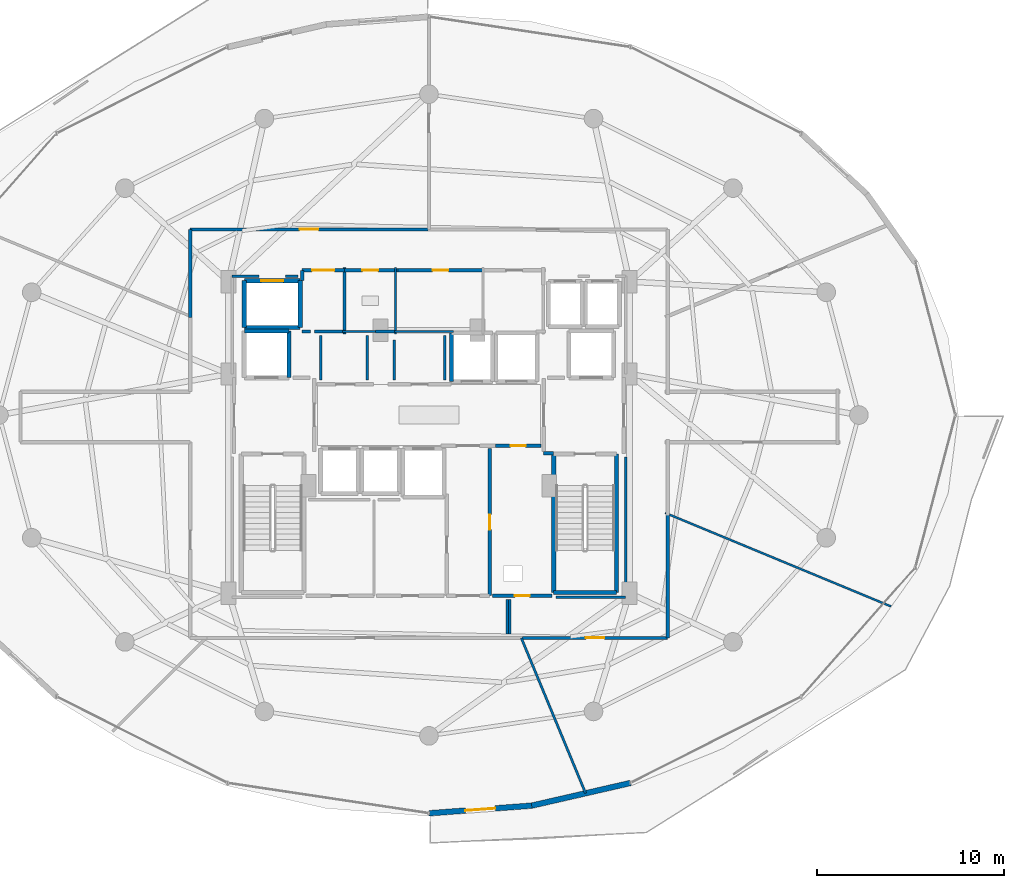
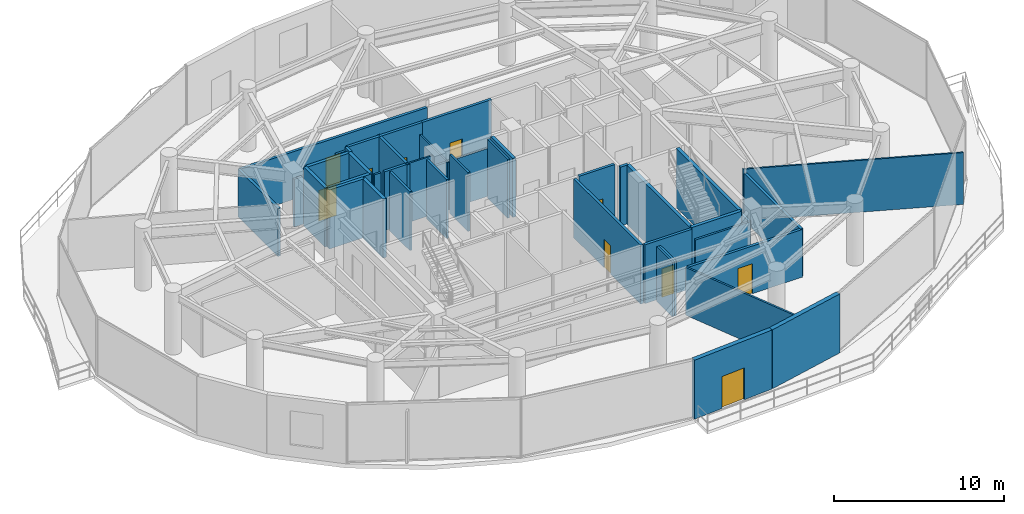
# One storey, part 25 of 31: 43 walls, 10 doors, 10 openings.
"""IFC4 building model written with IfcOpenShell, lengths in metres."""

import ifcopenshell
import ifcopenshell.guid

model = None  # the IFC model being written
_history = None  # IfcOwnerHistory: only IFC2X3 demands one
_inside = {}  # id of a spatial element -> (the spatial element, [elements in it])
_under = {}  # id of a project, library or spatial element -> (it, [spatial elements below it])
_declared = {}  # id of a project -> (the project, [libraries it declares])
_typed = {}  # id of a type object -> (the type object, [elements of that type])
_made_of = {}  # id of a material, layer set ... -> (it, [elements and type objects made of it])


def new_model(schema):
    """Start an empty IFC model of exactly this schema.

    Asked for "IFC4X3", IfcOpenShell would pick the latest addendum, in which some entities
    have other attributes; the version numbers below select the first issue.
    IFC2X3 requires an IfcOwnerHistory on every rooted entity: one is made here for all.
    """
    global model, _history
    if schema == "IFC4X3":
        model = ifcopenshell.file(schema_version=(4, 3, 0, 0))
    else:
        model = ifcopenshell.file(schema=schema)
    _inside.clear()
    _under.clear()
    _declared.clear()
    _typed.clear()
    _made_of.clear()
    _history = None
    if model.schema == "IFC2X3":
        org = make("IfcOrganization", Name="unknown")
        user = make(
            "IfcPersonAndOrganization",
            ThePerson=make("IfcPerson", FamilyName="unknown"),
            TheOrganization=org,
        )
        app = make(
            "IfcApplication",
            ApplicationDeveloper=org,
            Version="unknown",
            ApplicationFullName="unknown",
            ApplicationIdentifier="unknown",
        )
        _history = make(
            "IfcOwnerHistory",
            OwningUser=user,
            OwningApplication=app,
            ChangeAction="ADDED",
            CreationDate=0,
        )
    return model


def make(cls, **values):
    """One entity of the class cls with the attributes given. An attribute that is None is left unset."""
    return model.create_entity(
        cls, **{name: value for name, value in values.items() if value is not None}
    )


def rooted(cls, **values):
    """An entity with a GlobalId (a new one), such as an element, a storey or a relation."""
    return make(cls, GlobalId=ifcopenshell.guid.new(), OwnerHistory=_history, **values)


def si_unit(unit_type, name, prefix=None):
    """IfcSIUnit, for example si_unit("LENGTHUNIT", "METRE", prefix="MILLI")."""
    return make("IfcSIUnit", UnitType=unit_type, Prefix=prefix, Name=name)


def assignment(units):
    """IfcUnitAssignment: the units of a project."""
    return None if units is None else make("IfcUnitAssignment", Units=units)


def point(xyz):
    """IfcCartesianPoint."""
    return None if xyz is None else make("IfcCartesianPoint", Coordinates=xyz)


def direction(xyz):
    """IfcDirection."""
    return None if xyz is None else make("IfcDirection", DirectionRatios=xyz)


def frame(location, z_axis=None, x_axis=None):
    """IfcAxis2Placement3D, a coordinate frame: its origin and axes. An axis left out is left unset."""
    return make(
        "IfcAxis2Placement3D",
        Location=point(location),
        Axis=direction(z_axis),
        RefDirection=direction(x_axis),
    )


def frame_2d(location, x_axis=None):
    """IfcAxis2Placement2D, a coordinate frame in the plane: its origin and x axis."""
    return make(
        "IfcAxis2Placement2D", Location=point(location), RefDirection=direction(x_axis)
    )


def origin():
    """The frame at (0, 0, 0) with its axes left unset."""
    return frame((0.0, 0.0, 0.0))


def place(relative_to, where):
    """IfcLocalPlacement: puts the frame where relative to a parent placement (None: the world)."""
    return make(
        "IfcLocalPlacement", PlacementRelTo=relative_to, RelativePlacement=where
    )


def context(
    kind, dimensions, precision=None, world=None, true_north=None, identifier=None
):
    """IfcGeometricRepresentationContext, for example the 3D "Model" context."""
    return make(
        "IfcGeometricRepresentationContext",
        ContextIdentifier=identifier,
        ContextType=kind,
        CoordinateSpaceDimension=dimensions,
        Precision=precision,
        WorldCoordinateSystem=world,
        TrueNorth=true_north,
    )


def subcontext(parent, identifier, kind, view, scale=None):
    """IfcGeometricRepresentationSubContext, for example "Body" below "Model"."""
    return make(
        "IfcGeometricRepresentationSubContext",
        ContextIdentifier=identifier,
        ContextType=kind,
        ParentContext=parent,
        TargetScale=scale,
        TargetView=view,
    )


def project(units=None, contexts=None):
    """IfcProject with its units and contexts."""
    return rooted(
        "IfcProject",
        Name="project",
        RepresentationContexts=contexts,
        UnitsInContext=assignment(units),
    )


def spatial(cls, under=None, at=None, **own):
    """A site, building, storey or space (cls), placed at a placement, below another one or the project."""
    s = rooted(cls, ObjectPlacement=at, **own)
    if under is not None:
        _under.setdefault(under.id(), (under, []))[1].append(s)
    return s


def profile(cls, at=None, kind="AREA", **sizes):
    """A parametric profile (cls). Its sizes go by their IFC names, for example OverallWidth=200.0."""
    return make(cls, ProfileType=kind, Position=at, **sizes)


def rectangle(**sizes):
    """IfcRectangleProfileDef."""
    return profile("IfcRectangleProfileDef", **sizes)


def extrude(swept, where, along, depth):
    """IfcExtrudedAreaSolid: the profile swept, set in the frame where, extruded along a direction by depth."""
    return make(
        "IfcExtrudedAreaSolid",
        SweptArea=swept,
        Position=where,
        ExtrudedDirection=direction(along),
        Depth=depth,
    )


def shape(context_of_items, identifier, shape_type, items):
    """IfcShapeRepresentation: the items that make up one representation, for example the "Body"."""
    return make(
        "IfcShapeRepresentation",
        ContextOfItems=context_of_items,
        RepresentationIdentifier=identifier,
        RepresentationType=shape_type,
        Items=items,
    )


def material(Name=None, Category=None):
    """IfcMaterial."""
    return make("IfcMaterial", Name=Name, Category=Category)


def layer(
    of_material, thickness, ventilated=None, Name=None, Category=None, Priority=None
):
    """IfcMaterialLayer: one layer of a wall or slab, of a material (None: an air gap)."""
    return make(
        "IfcMaterialLayer",
        Material=of_material,
        LayerThickness=thickness,
        IsVentilated=ventilated,
        Name=Name,
        Category=Category,
        Priority=Priority,
    )


def layer_set(layers, Name=None):
    """IfcMaterialLayerSet."""
    return make("IfcMaterialLayerSet", MaterialLayers=layers, LayerSetName=Name)


def made_of(thing, what):
    """Note that an element or type object is made of a material, layer set ...; save() writes the relation."""
    if what is not None:
        _made_of.setdefault(what.id(), (what, []))[1].append(thing)
    return thing


def type_object(cls, material=None, **own):
    """A type object (cls), such as IfcWallType, which elements share."""
    return made_of(rooted(cls, **own), material)


def element(
    cls,
    number,
    at=None,
    inside=None,
    cuts=None,
    type_object=None,
    material=None,
    context=None,
    identifier="Body",
    shape_type=None,
    held_by="IfcProductDefinitionShape",
    body=None,
    shapes=None,
    **own,
):
    """One element of the class cls, such as IfcWall. Its Tag is "e" and its number.

    at: its placement. inside: the storey or other place that contains it. cuts: it is an
    opening in that element (IfcRelVoidsElement). A single representation is given by context,
    identifier, shape_type and body (its items); several are given by shapes. held_by: the class
    of the entity that holds the representations. save() writes the other relations.
    """
    e = rooted(cls, Tag="e%d" % number, ObjectPlacement=at, **own)
    if body is not None:
        shapes = [shape(context, identifier, shape_type, body)]
    if shapes is not None:
        e.Representation = make(held_by, Representations=shapes)
    if inside is not None:
        _inside.setdefault(inside.id(), (inside, []))[1].append(e)
    if cuts is not None:
        rooted(
            "IfcRelVoidsElement", RelatingBuildingElement=cuts, RelatedOpeningElement=e
        )
    if type_object is not None:
        _typed.setdefault(type_object.id(), (type_object, []))[1].append(e)
    return made_of(e, material)


def fill(opening, filler):
    """IfcRelFillsElement: the door or window that sits in an opening."""
    return rooted(
        "IfcRelFillsElement",
        RelatingOpeningElement=opening,
        RelatedBuildingElement=filler,
    )


def aggregate(whole, parts):
    """IfcRelAggregates: a whole, such as a stair, and the parts it consists of."""
    return rooted("IfcRelAggregates", RelatingObject=whole, RelatedObjects=parts)


def save(model, path):
    """Write the relations noted so far, then the file.

    IfcRelAggregates (storeys below a building ...), IfcRelContainedInSpatialStructure (elements
    in a storey), IfcRelDefinesByType, IfcRelAssociatesMaterial and IfcRelDeclares: one each for
    every whole, place, type object, material and project.
    """
    for whole, parts in _under.values():
        aggregate(whole, parts)
    for where, things in _inside.values():
        rooted(
            "IfcRelContainedInSpatialStructure",
            RelatedElements=things,
            RelatingStructure=where,
        )
    for kind, things in _typed.values():
        rooted("IfcRelDefinesByType", RelatedObjects=things, RelatingType=kind)
    for what, things in _made_of.values():
        rooted("IfcRelAssociatesMaterial", RelatedObjects=things, RelatingMaterial=what)
    for by, libraries in _declared.values():
        rooted("IfcRelDeclares", RelatingContext=by, RelatedDefinitions=libraries)
    model.write(path)


model = new_model("IFC4")

# Units and contexts
model_context = context("Model", 3, precision=1e-05, world=origin(), true_north=direction((0.0, 1.0)))
body_context = subcontext(model_context, "Body", "Model", "MODEL_VIEW")
ifc_project = project(units=[si_unit("LENGTHUNIT", "METRE"), si_unit("AREAUNIT", "SQUARE_METRE"), si_unit("VOLUMEUNIT", "CUBIC_METRE"), si_unit("PLANEANGLEUNIT", "RADIAN"), si_unit("MASSUNIT", "GRAM", prefix="KILO")], contexts=[model_context])

# Site, building, storey
site_placement = place(None, origin())
site = spatial("IfcSite", under=ifc_project, at=site_placement, CompositionType="ELEMENT")
building_placement = place(site_placement, origin())
building = spatial("IfcBuilding", under=site, at=building_placement, Name="Vorneva Point Tower", CompositionType="ELEMENT")
storey_placement = place(building_placement, frame((0.0, 0.0, 174.60009765625)))
storey = spatial("IfcBuildingStorey", under=building, at=storey_placement, Name="L47", CompositionType="ELEMENT", Elevation=174.60009765625)

# Walls
ifc_material_1 = material(Name="Concrete B60 (C50/60)", Category="concrete")
ifc_layer_1 = layer(ifc_material_1, 0.5)
ifc_layer_set_1 = layer_set([ifc_layer_1], Name="Concrete B60 (C50/60)")
wall_type_1 = type_object("IfcWallType", Name="WL-CORE-500", PredefinedType="SHEAR", material=ifc_layer_set_1)
wall_1_placement = place(storey_placement, frame((30.5, 28.0, 0.0), z_axis=(0.0, 0.0, 1.0), x_axis=(0.0, 1.0, 0.0)))
element("IfcWall", 1, at=wall_1_placement, inside=storey, type_object=wall_type_1, Name="L47 Lift FFL1 Shaft Wall +X", PredefinedType="SHEAR", context=body_context, shape_type="SweptSolid", body=[
    extrude(rectangle(XDim=2.5, YDim=0.219970703125, at=frame_2d((1.25, 0.0))), origin(), (0.0, 0.0, 1.0), 4.239990234375),
])
wall_2_placement = place(storey_placement, frame((30.5, 30.5, 0.0), z_axis=(0.0, 0.0, 1.0), x_axis=(-1.0, 0.0, 0.0)))
element("IfcWall", 2, at=wall_2_placement, inside=storey, type_object=wall_type_1, Name="L47 Lift FFL1 Shaft Wall +Y", PredefinedType="SHEAR", context=body_context, shape_type="SweptSolid", body=[
    extrude(rectangle(XDim=2.39990234375, YDim=0.219970703125, at=frame_2d((1.199951171875, 0.0))), origin(), (0.0, 0.0, 1.0), 4.239990234375),
])

# Wall, opening, door
ifc_material_2 = material(Name="Precast concrete B50 (C40/50)", Category="concrete")
ifc_layer_2 = layer(ifc_material_2, 0.300048828125)
ifc_layer_set_2 = layer_set([ifc_layer_2], Name="Precast concrete B50 (C40/50)")
wall_type_2 = type_object("IfcWallType", Name="WL-EXT-300", PredefinedType="STANDARD", material=ifc_layer_set_2)
wall_3_placement = place(storey_placement, frame((38.0, 4.64990234375, 0.0), z_axis=(0.0, 0.0, 1.0), x_axis=(0.997234968529, 0.074312970214, 0.0)))
wall_3 = element("IfcWall", 3, at=wall_3_placement, inside=storey, type_object=wall_type_2, Name="L47 Pale-Metal Facade Spandrel Wall 13.1", PredefinedType="STANDARD", context=body_context, shape_type="SweptSolid", body=[
    extrude(rectangle(XDim=5.522705078125, YDim=0.300048828125, at=frame_2d((2.76123046875, 0.0))), origin(), (0.0, 0.0, 1.0), 4.239990234375),
])
opening_1_placement = place(wall_3_placement, frame((1.961181640625, 0.0, 0.0)))
opening_1 = element("IfcOpeningElement", 4, at=opening_1_placement, cuts=wall_3, Name="Opening BD-01", PredefinedType="OPENING", context=body_context, shape_type="SweptSolid", body=[
    extrude(rectangle(XDim=1.60009765625, YDim=2.300048828125, at=frame_2d((0.800048828125, 1.14990234375))), frame((0.0, 0.1650390625, 0.0), z_axis=(0.0, -1.0, 0.0), x_axis=(1.0, 0.0, 0.0)), (0.0, 0.0, 1.0), 0.329833984375),
])
ifc_material_3 = material(Name="Pale anodised aluminium", Category="aluminium")
door_type_1 = type_object("IfcDoorType", Name="DR-BAL-1600", OperationType="SLIDING_TO_LEFT", PredefinedType="DOOR", material=ifc_material_3)
door_1_placement = place(opening_1_placement, origin())
door_1 = element("IfcDoor", 5, at=door_1_placement, inside=storey, type_object=door_type_1, Name="L47 Balcony Terrace Access Door 13", OperationType="SLIDING_TO_LEFT", OverallHeight=2.300048828125, OverallWidth=1.60009765625, PredefinedType="DOOR", context=body_context, shape_type="SweptSolid", body=[
    extrude(rectangle(XDim=1.60009765625, YDim=2.300048828125, at=frame_2d((0.800048828125, 1.14990234375))), frame((0.0, 0.02490234375, 0.0), z_axis=(0.0, -1.0, 0.0), x_axis=(1.0, 0.0, 0.0)), (0.0, 0.0, 1.0), 0.050048828125),
])
fill(opening_1, door_1)

# Walls
wall_4_placement = place(storey_placement, frame((43.50732421875, 5.060302734375, 0.0), z_axis=(0.0, 0.0, 1.0), x_axis=(0.974684194578, 0.223586047954, 0.0)))
element("IfcWall", 6, at=wall_4_placement, inside=storey, type_object=wall_type_2, Name="L47 Pale-Metal Facade Spandrel Wall 13.2", PredefinedType="STANDARD", context=body_context, shape_type="SweptSolid", body=[
    extrude(rectangle(XDim=5.433349609375, YDim=0.300048828125, at=frame_2d((2.716796875, 0.0))), origin(), (0.0, 0.0, 1.0), 4.239990234375),
])
ifc_material_4 = material(Name="Fire-rated acoustic gypsum stud partition", Category="gypsum")
ifc_layer_3 = layer(ifc_material_4, 0.110107421875)
ifc_layer_set_3 = layer_set([ifc_layer_3], Name="Fire-rated acoustic gypsum stud partition")
wall_type_3 = type_object("IfcWallType", Name="WL-PART-110", PredefinedType="PARTITIONING", material=ifc_layer_set_3)
wall_5_placement = place(storey_placement, frame((36.199951171875, 30.340087890625, 0.0), z_axis=(0.0, 0.0, 1.0), x_axis=(0.0, 1.0, 0.0)))
element("IfcWall", 7, at=wall_5_placement, inside=storey, type_object=wall_type_3, Name="L47 Interior Partition 018", PredefinedType="PARTITIONING", context=body_context, shape_type="SweptSolid", body=[
    extrude(rectangle(XDim=3.559814453125, YDim=0.110107421875, at=frame_2d((1.77978515625, 0.0))), origin(), (0.0, 0.0, 1.0), 3.431884765625),
])
wall_6_placement = place(storey_placement, frame((33.360107421875, 30.47998046875, 0.0), z_axis=(0.0, 0.0, 1.0), x_axis=(1.0, 0.0, 0.0)))
element("IfcWall", 8, at=wall_6_placement, inside=storey, type_object=wall_type_3, Name="L47 Interior Partition 019", PredefinedType="PARTITIONING", context=body_context, shape_type="SweptSolid", body=[
    extrude(rectangle(XDim=1.809814453125, YDim=0.110107421875, at=frame_2d((0.90478515625, 0.0))), origin(), (0.0, 0.0, 1.0), 4.239990234375),
])
wall_7_placement = place(storey_placement, frame((36.110107421875, 30.47998046875, 0.0), z_axis=(0.0, 0.0, 1.0), x_axis=(1.0, 0.0, 0.0)))
element("IfcWall", 9, at=wall_7_placement, inside=storey, type_object=wall_type_3, Name="L47 Interior Partition 022", PredefinedType="PARTITIONING", context=body_context, shape_type="SweptSolid", body=[
    extrude(rectangle(XDim=3.2099609375, YDim=0.110107421875, at=frame_2d((1.60498046875, 0.0))), origin(), (0.0, 0.0, 1.0), 3.431884765625),
])
wall_8_placement = place(storey_placement, frame((62.769287109375, 15.740478515625, 0.0), z_axis=(0.0, 0.0, 1.0), x_axis=(-0.923884589978, 0.382671222332, 0.0)))
element("IfcWall", 10, at=wall_8_placement, inside=storey, type_object=wall_type_3, Name="L47 Interior Partition 052", PredefinedType="PARTITIONING", context=body_context, shape_type="SweptSolid", body=[
    extrude(rectangle(XDim=13.095458984375, YDim=0.110107421875, at=frame_2d((6.5478515625, 0.0))), origin(), (0.0, 0.0, 1.0), 3.727783203125),
])
ifc_layer_4 = layer(ifc_material_4, 0.125)
ifc_layer_set_4 = layer_set([ifc_layer_4], Name="Fire-rated acoustic gypsum stud partition")
wall_type_4 = type_object("IfcWallType", Name="WL-PART-125", PredefinedType="PARTITIONING", material=ifc_layer_set_4)
wall_9_placement = place(storey_placement, frame((46.39794921875, 5.72509765625, 0.0), z_axis=(0.0, 0.0, 1.0), x_axis=(-0.382654101666, 0.923891681139, 0.0)))
element("IfcWall", 11, at=wall_9_placement, inside=storey, type_object=wall_type_4, Name="L47 Interior Partition 051", PredefinedType="PARTITIONING", context=body_context, shape_type="SweptSolid", body=[
    extrude(rectangle(XDim=9.0107421875, YDim=0.125, at=frame_2d((4.50537109375, 0.0))), origin(), (0.0, 0.0, 1.0), 3.431884765625),
])
ifc_layer_5 = layer(ifc_material_4, 0.139892578125)
ifc_layer_set_5 = layer_set([ifc_layer_5], Name="Fire-rated acoustic gypsum stud partition")
wall_type_5 = type_object("IfcWallType", Name="WL-PART-140", PredefinedType="PARTITIONING", material=ifc_layer_set_5)
wall_10_placement = place(storey_placement, frame((31.199951171875, 30.47998046875, 0.0), z_axis=(0.0, 0.0, 1.0), x_axis=(1.0, 0.0, 0.0)))
element("IfcWall", 12, at=wall_10_placement, inside=storey, type_object=wall_type_5, Name="L47 Interior Closure Partition 055", PredefinedType="PARTITIONING", context=body_context, shape_type="SweptSolid", body=[
    extrude(rectangle(XDim=0.449951171875, YDim=0.139892578125, at=frame_2d((0.22509765625, 0.0))), origin(), (0.0, 0.0, 1.0), 4.239990234375),
])
wall_11_placement = place(storey_placement, frame((35.139892578125, 30.47998046875, 0.0), z_axis=(0.0, 0.0, 1.0), x_axis=(1.0, 0.0, 0.0)))
element("IfcWall", 13, at=wall_11_placement, inside=storey, type_object=wall_type_5, Name="L47 Interior Closure Partition 056", PredefinedType="PARTITIONING", context=body_context, shape_type="SweptSolid", body=[
    extrude(rectangle(XDim=1.0, YDim=0.139892578125, at=frame_2d((0.5, 0.0))), origin(), (0.0, 0.0, 1.0), 3.431884765625),
])
for number, where, z_axis, x_axis, name in (
    (14, (32.199951171875, 30.260009765625, 0.0), (0.0, 0.0, 1.0), (0.0, -1.0, 0.0), "L47 Interior Closure Partition 061"),
    (15, (34.699951171875, 27.8701171875, 0.0), (0.0, 0.0, 1.0), (0.0, 1.0, 0.0), "L47 Interior Closure Partition 062"),
):
    element("IfcWall", number, at=place(storey_placement, frame(where, z_axis=z_axis, x_axis=x_axis)), inside=storey, type_object=wall_type_5, Name=name, PredefinedType="PARTITIONING", context=body_context, shape_type="SweptSolid", body=[
        extrude(rectangle(XDim=2.389892578125, YDim=0.139892578125, at=frame_2d((1.19482421875, 0.0))), origin(), (0.0, 0.0, 1.0), 4.239990234375),
    ])
wall_12_placement = place(storey_placement, frame((36.14990234375, 30.030029296875, 0.0), z_axis=(0.0, 0.0, 1.0), x_axis=(0.0, -1.0, 0.0)))
element("IfcWall", 16, at=wall_12_placement, inside=storey, type_object=wall_type_5, Name="L47 Interior Closure Partition 063", PredefinedType="PARTITIONING", context=body_context, shape_type="SweptSolid", body=[
    extrude(rectangle(XDim=2.159912109375, YDim=0.139892578125, at=frame_2d((1.080078125, 0.0))), origin(), (0.0, 0.0, 1.0), 4.239990234375),
])
wall_13_placement = place(storey_placement, frame((38.85009765625, 27.8701171875, 0.0), z_axis=(0.0, 0.0, 1.0), x_axis=(0.0, 1.0, 0.0)))
element("IfcWall", 17, at=wall_13_placement, inside=storey, type_object=wall_type_5, Name="L47 Interior Closure Partition 064", PredefinedType="PARTITIONING", context=body_context, shape_type="SweptSolid", body=[
    extrude(rectangle(XDim=2.389892578125, YDim=0.139892578125, at=frame_2d((1.19482421875, 0.0))), origin(), (0.0, 0.0, 1.0), 4.239990234375),
])
wall_14_placement = place(storey_placement, frame((48.550048828125, 16.239990234375, 0.0), z_axis=(0.0, 0.0, 1.0), x_axis=(0.0, 1.0, 0.0)))
element("IfcWall", 18, at=wall_14_placement, inside=storey, type_object=wall_type_5, Name="L47 Interior Closure Partition 065", PredefinedType="PARTITIONING", context=body_context, shape_type="SweptSolid", body=[
    extrude(rectangle(XDim=7.513916015625, YDim=0.139892578125, at=frame_2d((3.7568359375, 0.0))), origin(), (0.0, 0.0, 1.0), 3.431884765625),
])
wall_15_placement = place(storey_placement, frame((30.97998046875, 33.449951171875, 0.0), z_axis=(0.0, 0.0, 1.0), x_axis=(-1.0, 0.0, 0.0)))
element("IfcWall", 19, at=wall_15_placement, inside=storey, type_object=wall_type_5, Name="L47 Interior Closure Partition 069", PredefinedType="PARTITIONING", context=body_context, shape_type="SweptSolid", body=[
    extrude(rectangle(XDim=0.674072265625, YDim=0.139892578125, at=frame_2d((0.3369140625, 0.0))), origin(), (0.0, 0.0, 1.0), 4.239990234375),
])
wall_16_placement = place(storey_placement, frame((28.89404296875, 33.449951171875, 0.0), z_axis=(0.0, 0.0, 1.0), x_axis=(-1.0, 0.0, 0.0)))
element("IfcWall", 20, at=wall_16_placement, inside=storey, type_object=wall_type_5, Name="L47 Interior Closure Partition 070", PredefinedType="PARTITIONING", context=body_context, shape_type="SweptSolid", body=[
    extrude(rectangle(XDim=1.444091796875, YDim=0.139892578125, at=frame_2d((0.72216796875, 0.0))), origin(), (0.0, 0.0, 1.0), 3.431884765625),
])
for number, where, z_axis, x_axis, name in (
    (21, (42.199951171875, 16.10009765625, 0.0), (0.0, 0.0, 1.0), (0.0, -1.0, 0.0), "L47 Interior Closure Partition 074"),
    (22, (42.340087890625, 14.27001953125, 0.0), (0.0, 0.0, 1.0), (0.0, 1.0, 0.0), "L47 Interior Closure Partition 075"),
):
    element("IfcWall", number, at=place(storey_placement, frame(where, z_axis=z_axis, x_axis=x_axis)), inside=storey, type_object=wall_type_5, Name=name, PredefinedType="PARTITIONING", context=body_context, shape_type="SweptSolid", body=[
        extrude(rectangle(XDim=1.830078125, YDim=0.139892578125, at=frame_2d((0.9150390625, 0.0))), origin(), (0.0, 0.0, 1.0), 3.928955078125),
    ])
wall_17_placement = place(storey_placement, frame((44.804931640625, 16.239990234375, 0.0), z_axis=(0.0, 0.0, 1.0), x_axis=(1.0, 0.0, 0.0)))
element("IfcWall", 23, at=wall_17_placement, inside=storey, type_object=wall_type_5, Name="L47 Interior Closure Partition 076", PredefinedType="PARTITIONING", context=body_context, shape_type="SweptSolid", body=[
    extrude(rectangle(XDim=3.7451171875, YDim=0.139892578125, at=frame_2d((1.87255859375, 0.0))), origin(), (0.0, 0.0, 1.0), 3.431884765625),
])
ifc_material_5 = material(Name="Autoclaved aerated concrete blockwork", Category="masonry")
ifc_layer_6 = layer(ifc_material_5, 0.179931640625)
ifc_layer_set_6 = layer_set([ifc_layer_6], Name="Autoclaved aerated concrete blockwork")
wall_type_6 = type_object("IfcWallType", Name="WL-PART-180", PredefinedType="PARTITIONING", material=ifc_layer_set_6)
wall_18_placement = place(storey_placement, frame((44.14990234375, 23.949951171875, 0.0), z_axis=(0.0, 0.0, 1.0), x_axis=(1.0, 0.0, 0.0)))
element("IfcWall", 24, at=wall_18_placement, inside=storey, type_object=wall_type_6, Name="L47 Interior Partition 004", PredefinedType="PARTITIONING", context=body_context, shape_type="SweptSolid", body=[
    extrude(rectangle(XDim=0.5400390625, YDim=0.179931640625, at=frame_2d((0.27001953125, 0.0))), origin(), (0.0, 0.0, 1.0), 4.239990234375),
])
wall_19_placement = place(storey_placement, frame((33.469970703125, 30.340087890625, 0.0), z_axis=(0.0, 0.0, 1.0), x_axis=(0.0, 1.0, 0.0)))
element("IfcWall", 25, at=wall_19_placement, inside=storey, type_object=wall_type_6, Name="L47 Interior Partition 006", PredefinedType="PARTITIONING", context=body_context, shape_type="SweptSolid", body=[
    extrude(rectangle(XDim=3.559814453125, YDim=0.179931640625, at=frame_2d((1.77978515625, 0.0))), origin(), (0.0, 0.0, 1.0), 4.239990234375),
])
wall_20_placement = place(storey_placement, frame((31.8701171875, 30.47998046875, 0.0), z_axis=(0.0, 0.0, 1.0), x_axis=(1.0, 0.0, 0.0)))
element("IfcWall", 26, at=wall_20_placement, inside=storey, type_object=wall_type_6, Name="L47 Interior Partition 007", PredefinedType="PARTITIONING", context=body_context, shape_type="SweptSolid", body=[
    extrude(rectangle(XDim=1.599853515625, YDim=0.179931640625, at=frame_2d((0.7998046875, 0.0))), origin(), (0.0, 0.0, 1.0), 4.239990234375),
])

# Wall, opening, door
wall_21_placement = place(storey_placement, frame((33.469970703125, 33.760009765625, 0.0), z_axis=(0.0, 0.0, 1.0), x_axis=(-1.0, 0.0, 0.0)))
wall_21 = element("IfcWall", 27, at=wall_21_placement, inside=storey, type_object=wall_type_6, Name="L47 Interior Partition 008", PredefinedType="PARTITIONING", context=body_context, shape_type="SweptSolid", body=[
    extrude(rectangle(XDim=2.27001953125, YDim=0.179931640625, at=frame_2d((1.135009765625, 0.0))), origin(), (0.0, 0.0, 1.0), 4.239990234375),
])
opening_2_placement = place(wall_21_placement, frame((0.534912109375, 0.0, 0.0)))
opening_2 = element("IfcOpeningElement", 28, at=opening_2_placement, cuts=wall_21, Name="Opening FD-02", PredefinedType="OPENING", context=body_context, shape_type="SweptSolid", body=[
    extrude(rectangle(XDim=1.199951171875, YDim=2.14990234375, at=frame_2d((0.60009765625, 1.074951171875))), frame((0.0, 0.10498046875, 0.0), z_axis=(0.0, -1.0, 0.0), x_axis=(1.0, 0.0, 0.0)), (0.0, 0.0, 1.0), 0.209716796875),
])
ifc_material_6 = material(Name="Fire-rated powder-coated steel", Category="steel")
door_type_2 = type_object("IfcDoorType", Name="DR-FFL-1200", OperationType="NOTDEFINED", PredefinedType="DOOR", material=ifc_material_6)
door_2_placement = place(opening_2_placement, origin())
door_2 = element("IfcDoor", 29, at=door_2_placement, inside=storey, type_object=door_type_2, Name="L47 Door Service Lift Lobby / L47 Circulation Corridor", OperationType="SINGLE_SWING_LEFT", OverallHeight=2.14990234375, OverallWidth=1.199951171875, PredefinedType="DOOR", context=body_context, shape_type="SweptSolid", body=[
    extrude(rectangle(XDim=1.199951171875, YDim=2.14990234375, at=frame_2d((0.60009765625, 1.074951171875))), frame((0.0, 0.02490234375, 0.0), z_axis=(0.0, -1.0, 0.0), x_axis=(1.0, 0.0, 0.0)), (0.0, 0.0, 1.0), 0.050048828125),
])
fill(opening_2, door_2)

# Wall
wall_22_placement = place(storey_placement, frame((31.199951171875, 33.760009765625, 0.0), z_axis=(0.0, 0.0, 1.0), x_axis=(0.0, -1.0, 0.0)))
element("IfcWall", 30, at=wall_22_placement, inside=storey, type_object=wall_type_6, Name="L47 Interior Partition 009", PredefinedType="PARTITIONING", context=body_context, shape_type="SweptSolid", body=[
    extrude(rectangle(XDim=0.56005859375, YDim=0.179931640625, at=frame_2d((0.280029296875, 0.0))), origin(), (0.0, 0.0, 1.0), 4.239990234375),
])

# Wall, opening, door
wall_23_placement = place(storey_placement, frame((41.554931640625, 24.35009765625, 0.0), z_axis=(0.0, 0.0, 1.0), x_axis=(1.0, 0.0, 0.0)))
wall_23 = element("IfcWall", 31, at=wall_23_placement, inside=storey, type_object=wall_type_6, Name="L47 Interior Partition 011", PredefinedType="PARTITIONING", context=body_context, shape_type="SweptSolid", body=[
    extrude(rectangle(XDim=2.445068359375, YDim=0.179931640625, at=frame_2d((1.22265625, 0.0))), origin(), (0.0, 0.0, 1.0), 4.239990234375),
])
opening_3_placement = place(wall_23_placement, frame((0.822509765625, 0.0, 0.0)))
opening_3 = element("IfcOpeningElement", 32, at=opening_3_placement, cuts=wall_23, Name="Opening RD-01", PredefinedType="OPENING", context=body_context, shape_type="SweptSolid", body=[
    extrude(rectangle(XDim=0.800048828125, YDim=2.050048828125, at=frame_2d((0.39990234375, 1.02490234375))), frame((0.0, 0.10498046875, 0.0), z_axis=(0.0, -1.0, 0.0), x_axis=(1.0, 0.0, 0.0)), (0.0, 0.0, 1.0), 0.209716796875),
])
door_type_3 = type_object("IfcDoorType", Name="DR-RSR-800", OperationType="SINGLE_SWING_LEFT", PredefinedType="DOOR", material=ifc_material_6)
door_3_placement = place(opening_3_placement, origin())
door_3 = element("IfcDoor", 33, at=door_3_placement, inside=storey, type_object=door_type_3, Name="L47 Door Central Lift Lobby / Electrical Riser", OperationType="SINGLE_SWING_LEFT", OverallHeight=2.050048828125, OverallWidth=0.800048828125, PredefinedType="DOOR", context=body_context, shape_type="SweptSolid", body=[
    extrude(rectangle(XDim=0.800048828125, YDim=2.050048828125, at=frame_2d((0.39990234375, 1.02490234375))), frame((0.0, 0.02490234375, 0.0), z_axis=(0.0, -1.0, 0.0), x_axis=(1.0, 0.0, 0.0)), (0.0, 0.0, 1.0), 0.050048828125),
])
fill(opening_3, door_3)

wall_24_placement = place(storey_placement, frame((41.25, 16.320068359375, 0.0), z_axis=(0.0, 0.0, 1.0), x_axis=(0.0, 1.0, 0.0)))
wall_24 = element("IfcWall", 34, at=wall_24_placement, inside=storey, type_object=wall_type_6, Name="L47 Interior Partition 014", PredefinedType="PARTITIONING", context=body_context, shape_type="SweptSolid", body=[
    extrude(rectangle(XDim=7.8798828125, YDim=0.179931640625, at=frame_2d((3.93994140625, 0.0))), origin(), (0.0, 0.0, 1.0), 4.239990234375),
])
opening_4_placement = place(wall_24_placement, frame((3.5400390625, 0.0, 0.0)))
opening_4 = element("IfcOpeningElement", 35, at=opening_4_placement, cuts=wall_24, Name="Opening RD-01", PredefinedType="OPENING", context=body_context, shape_type="SweptSolid", body=[
    extrude(rectangle(XDim=0.800048828125, YDim=2.050048828125, at=frame_2d((0.39990234375, 1.02490234375))), frame((0.0, 0.10498046875, 0.0), z_axis=(0.0, -1.0, 0.0), x_axis=(1.0, 0.0, 0.0)), (0.0, 0.0, 1.0), 0.209716796875),
])
door_4_placement = place(opening_4_placement, origin())
door_4 = element("IfcDoor", 36, at=door_4_placement, inside=storey, type_object=door_type_3, Name="L47 Door Core Service Lobby / Electrical Riser", OperationType="SINGLE_SWING_RIGHT", OverallHeight=2.050048828125, OverallWidth=0.800048828125, PredefinedType="DOOR", context=body_context, shape_type="SweptSolid", body=[
    extrude(rectangle(XDim=0.800048828125, YDim=2.050048828125, at=frame_2d((0.39990234375, 1.02490234375))), frame((0.0, 0.02490234375, 0.0), z_axis=(0.0, -1.0, 0.0), x_axis=(1.0, 0.0, 0.0)), (0.0, 0.0, 1.0), 0.050048828125),
])
fill(opening_4, door_4)

wall_25_placement = place(storey_placement, frame((41.39990234375, 16.320068359375, 0.0), z_axis=(0.0, 0.0, 1.0), x_axis=(1.0, 0.0, 0.0)))
wall_25 = element("IfcWall", 37, at=wall_25_placement, inside=storey, type_object=wall_type_6, Name="L47 Interior Partition 017", PredefinedType="PARTITIONING", context=body_context, shape_type="SweptSolid", body=[
    extrude(rectangle(XDim=3.2001953125, YDim=0.179931640625, at=frame_2d((1.60009765625, 0.0))), origin(), (0.0, 0.0, 1.0), 4.239990234375),
])
opening_5_placement = place(wall_25_placement, frame((1.199951171875, 0.0, 0.0)))
opening_5 = element("IfcOpeningElement", 38, at=opening_5_placement, cuts=wall_25, Name="Opening RD-01", PredefinedType="OPENING", context=body_context, shape_type="SweptSolid", body=[
    extrude(rectangle(XDim=0.800048828125, YDim=2.050048828125, at=frame_2d((0.39990234375, 1.02490234375))), frame((0.0, 0.10498046875, 0.0), z_axis=(0.0, -1.0, 0.0), x_axis=(1.0, 0.0, 0.0)), (0.0, 0.0, 1.0), 0.209716796875),
])
door_5_placement = place(opening_5_placement, origin())
door_5 = element("IfcDoor", 39, at=door_5_placement, inside=storey, type_object=door_type_3, Name="L47 Door Electrical Riser / L47 Circulation Corridor", OperationType="SINGLE_SWING_LEFT", OverallHeight=2.050048828125, OverallWidth=0.800048828125, PredefinedType="DOOR", context=body_context, shape_type="SweptSolid", body=[
    extrude(rectangle(XDim=0.800048828125, YDim=2.050048828125, at=frame_2d((0.39990234375, 1.02490234375))), frame((0.0, 0.02490234375, 0.0), z_axis=(0.0, -1.0, 0.0), x_axis=(1.0, 0.0, 0.0)), (0.0, 0.0, 1.0), 0.050048828125),
])
fill(opening_5, door_5)

wall_26_placement = place(storey_placement, frame((36.340087890625, 33.760009765625, 0.0), z_axis=(0.0, 0.0, 1.0), x_axis=(-1.0, 0.0, 0.0)))
wall_26 = element("IfcWall", 40, at=wall_26_placement, inside=storey, type_object=wall_type_6, Name="L47 Interior Partition 020", PredefinedType="PARTITIONING", context=body_context, shape_type="SweptSolid", body=[
    extrude(rectangle(XDim=2.97998046875, YDim=0.179931640625, at=frame_2d((1.489990234375, 0.0))), origin(), (0.0, 0.0, 1.0), 4.239990234375),
])
opening_6_placement = place(wall_26_placement, frame((1.06494140625, 0.0, 0.0)))
opening_6 = element("IfcOpeningElement", 41, at=opening_6_placement, cuts=wall_26, Name="Opening ID-02", PredefinedType="OPENING", context=body_context, shape_type="SweptSolid", body=[
    extrude(rectangle(XDim=0.85009765625, YDim=2.10009765625, at=frame_2d((0.425048828125, 1.050048828125))), frame((0.0, 0.10498046875, 0.0), z_axis=(0.0, -1.0, 0.0), x_axis=(1.0, 0.0, 0.0)), (0.0, 0.0, 1.0), 0.209716796875),
])
ifc_material_7 = material(Name="Engineered oak fire-rated door leaf", Category="wood")
door_type_4 = type_object("IfcDoorType", Name="DR-BATH-850", OperationType="NOTDEFINED", PredefinedType="DOOR", material=ifc_material_7)
door_6_placement = place(opening_6_placement, origin())
door_6 = element("IfcDoor", 42, at=door_6_placement, inside=storey, type_object=door_type_4, Name="L47 Door Public Male WC / L47 Circulation Corridor", OperationType="SINGLE_SWING_RIGHT", OverallHeight=2.10009765625, OverallWidth=0.85009765625, PredefinedType="DOOR", context=body_context, shape_type="SweptSolid", body=[
    extrude(rectangle(XDim=0.85009765625, YDim=2.10009765625, at=frame_2d((0.425048828125, 1.050048828125))), frame((0.0, 0.02490234375, 0.0), z_axis=(0.0, -1.0, 0.0), x_axis=(1.0, 0.0, 0.0)), (0.0, 0.0, 1.0), 0.050048828125),
])
fill(opening_6, door_6)

wall_27_placement = place(storey_placement, frame((41.0400390625, 33.760009765625, 0.0), z_axis=(0.0, 0.0, 1.0), x_axis=(-1.0, 0.0, 0.0)))
wall_27 = element("IfcWall", 43, at=wall_27_placement, inside=storey, type_object=wall_type_6, Name="L47 Interior Partition 023", PredefinedType="PARTITIONING", context=body_context, shape_type="SweptSolid", body=[
    extrude(rectangle(XDim=4.840087890625, YDim=0.179931640625, at=frame_2d((2.419921875, 0.0))), origin(), (0.0, 0.0, 1.0), 4.239990234375),
])
opening_7_placement = place(wall_27_placement, frame((1.9951171875, 0.0, 0.0)))
opening_7 = element("IfcOpeningElement", 44, at=opening_7_placement, cuts=wall_27, Name="Opening ID-02", PredefinedType="OPENING", context=body_context, shape_type="SweptSolid", body=[
    extrude(rectangle(XDim=0.85009765625, YDim=2.10009765625, at=frame_2d((0.425048828125, 1.050048828125))), frame((0.0, 0.10498046875, 0.0), z_axis=(0.0, -1.0, 0.0), x_axis=(1.0, 0.0, 0.0)), (0.0, 0.0, 1.0), 0.209716796875),
])
door_7_placement = place(opening_7_placement, origin())
door_7 = element("IfcDoor", 45, at=door_7_placement, inside=storey, type_object=door_type_4, Name="L47 Door Public Female WC / L47 Circulation Corridor", OperationType="SINGLE_SWING_LEFT", OverallHeight=2.10009765625, OverallWidth=0.85009765625, PredefinedType="DOOR", context=body_context, shape_type="SweptSolid", body=[
    extrude(rectangle(XDim=0.85009765625, YDim=2.10009765625, at=frame_2d((0.425048828125, 1.050048828125))), frame((0.0, 0.02490234375, 0.0), z_axis=(0.0, -1.0, 0.0), x_axis=(1.0, 0.0, 0.0)), (0.0, 0.0, 1.0), 0.050048828125),
])
fill(opening_7, door_7)

wall_28_placement = place(storey_placement, frame((37.93994140625, 35.949951171875, 0.0), z_axis=(0.0, 0.0, 1.0), x_axis=(-1.0, 0.0, 0.0)))
wall_28 = element("IfcWall", 46, at=wall_28_placement, inside=storey, type_object=wall_type_6, Name="L47 Interior Partition 031", PredefinedType="PARTITIONING", context=body_context, shape_type="SweptSolid", body=[
    extrude(rectangle(XDim=12.739990234375, YDim=0.179931640625, at=frame_2d((6.3701171875, 0.0))), origin(), (0.0, 0.0, 1.0), 3.431884765625),
])
opening_8_placement = place(wall_28_placement, frame((5.8701171875, 0.0, 0.0)))
opening_8 = element("IfcOpeningElement", 47, at=opening_8_placement, cuts=wall_28, Name="Opening UD-01", PredefinedType="OPENING", context=body_context, shape_type="SweptSolid", body=[
    extrude(rectangle(XDim=1.0, YDim=2.14990234375, at=frame_2d((0.5, 1.074951171875))), frame((0.0, 0.10498046875, 0.0), z_axis=(0.0, -1.0, 0.0), x_axis=(1.0, 0.0, 0.0)), (0.0, 0.0, 1.0), 0.209716796875),
])
door_type_5 = type_object("IfcDoorType", Name="DR-UNIT-1000", OperationType="NOTDEFINED", PredefinedType="DOOR", material=ifc_material_7)
door_8_placement = place(opening_8_placement, origin())
door_8 = element("IfcDoor", 48, at=door_8_placement, inside=storey, type_object=door_type_5, Name="L47 Door L47 Circulation Corridor / Sky Lounge L47", OperationType="SINGLE_SWING_RIGHT", OverallHeight=2.14990234375, OverallWidth=1.0, PredefinedType="DOOR", context=body_context, shape_type="SweptSolid", body=[
    extrude(rectangle(XDim=1.0, YDim=2.14990234375, at=frame_2d((0.5, 1.074951171875))), frame((0.0, 0.02490234375, 0.0), z_axis=(0.0, -1.0, 0.0), x_axis=(1.0, 0.0, 0.0)), (0.0, 0.0, 1.0), 0.050048828125),
])
fill(opening_8, door_8)

# Wall
wall_29_placement = place(storey_placement, frame((25.199951171875, 35.949951171875, 0.0), z_axis=(0.0, 0.0, 1.0), x_axis=(0.0, -1.0, 0.0)))
element("IfcWall", 49, at=wall_29_placement, inside=storey, type_object=wall_type_6, Name="L47 Interior Partition 032", PredefinedType="PARTITIONING", context=body_context, shape_type="SweptSolid", body=[
    extrude(rectangle(XDim=4.7080078125, YDim=0.179931640625, at=frame_2d((2.35400390625, 0.0))), origin(), (0.0, 0.0, 1.0), 3.431884765625),
])

# Wall, opening, door
wall_30_placement = place(storey_placement, frame((43.014892578125, 14.050048828125, 0.0), z_axis=(0.0, 0.0, 1.0), x_axis=(1.0, 0.0, 0.0)))
wall_30 = element("IfcWall", 50, at=wall_30_placement, inside=storey, type_object=wall_type_6, Name="L47 Interior Partition 040", PredefinedType="PARTITIONING", context=body_context, shape_type="SweptSolid", body=[
    extrude(rectangle(XDim=7.78515625, YDim=0.179931640625, at=frame_2d((3.892578125, 0.0))), origin(), (0.0, 0.0, 1.0), 3.431884765625),
])
opening_9_placement = place(wall_30_placement, frame((3.392578125, 0.0, 0.0)))
opening_9 = element("IfcOpeningElement", 51, at=opening_9_placement, cuts=wall_30, Name="Opening UD-01", PredefinedType="OPENING", context=body_context, shape_type="SweptSolid", body=[
    extrude(rectangle(XDim=1.0, YDim=2.14990234375, at=frame_2d((0.5, 1.074951171875))), frame((0.0, 0.10498046875, 0.0), z_axis=(0.0, -1.0, 0.0), x_axis=(1.0, 0.0, 0.0)), (0.0, 0.0, 1.0), 0.209716796875),
])
door_9_placement = place(opening_9_placement, origin())
door_9 = element("IfcDoor", 52, at=door_9_placement, inside=storey, type_object=door_type_5, Name="L47 Door L47 Circulation Corridor / Sky Bar and Dining Room L47", OperationType="SINGLE_SWING_LEFT", OverallHeight=2.14990234375, OverallWidth=1.0, PredefinedType="DOOR", context=body_context, shape_type="SweptSolid", body=[
    extrude(rectangle(XDim=1.0, YDim=2.14990234375, at=frame_2d((0.5, 1.074951171875))), frame((0.0, 0.02490234375, 0.0), z_axis=(0.0, -1.0, 0.0), x_axis=(1.0, 0.0, 0.0)), (0.0, 0.0, 1.0), 0.050048828125),
])
fill(opening_9, door_9)

# Walls
wall_31_placement = place(storey_placement, frame((50.800048828125, 14.050048828125, 0.0), z_axis=(0.0, 0.0, 1.0), x_axis=(0.0, 1.0, 0.0)))
element("IfcWall", 53, at=wall_31_placement, inside=storey, type_object=wall_type_6, Name="L47 Interior Partition 041", PredefinedType="PARTITIONING", context=body_context, shape_type="SweptSolid", body=[
    extrude(rectangle(XDim=6.7080078125, YDim=0.179931640625, at=frame_2d((3.35400390625, 0.0))), origin(), (0.0, 0.0, 1.0), 3.431884765625),
])
ifc_material_8 = material(Name="Concrete B50 (C40/50)", Category="concrete")
ifc_layer_7 = layer(ifc_material_8, 0.219970703125)
ifc_layer_set_7 = layer_set([ifc_layer_7], Name="Concrete B50 (C40/50)")
wall_type_7 = type_object("IfcWallType", Name="WL-SHFT-220", PredefinedType="SOLIDWALL", material=ifc_layer_set_7)
wall_32_placement = place(storey_placement, frame((48.06005859375, 23.909912109375, 0.0), z_axis=(0.0, 0.0, 1.0), x_axis=(0.0, -1.0, 0.0)))
element("IfcWall", 54, at=wall_32_placement, inside=storey, type_object=wall_type_7, Name="L47 Exit Stair ST2 Shaft Wall right", PredefinedType="SOLIDWALL", context=body_context, shape_type="SweptSolid", body=[
    extrude(rectangle(XDim=7.419921875, YDim=0.219970703125, at=frame_2d((3.7099609375, 0.0))), origin(), (0.0, 0.0, 1.0), 4.239990234375),
])
wall_33_placement = place(storey_placement, frame((48.06005859375, 16.489990234375, 0.0), z_axis=(0.0, 0.0, 1.0), x_axis=(-1.0, 0.0, 0.0)))
element("IfcWall", 55, at=wall_33_placement, inside=storey, type_object=wall_type_7, Name="L47 Exit Stair ST2 Shaft Wall far", PredefinedType="SOLIDWALL", context=body_context, shape_type="SweptSolid", body=[
    extrude(rectangle(XDim=3.3701171875, YDim=0.219970703125, at=frame_2d((1.68505859375, 0.0))), origin(), (0.0, 0.0, 1.0), 4.239990234375),
])
wall_34_placement = place(storey_placement, frame((44.68994140625, 16.489990234375, 0.0), z_axis=(0.0, 0.0, 1.0), x_axis=(0.0, 1.0, 0.0)))
element("IfcWall", 56, at=wall_34_placement, inside=storey, type_object=wall_type_7, Name="L47 Exit Stair ST2 Shaft Wall left", PredefinedType="SOLIDWALL", context=body_context, shape_type="SweptSolid", body=[
    extrude(rectangle(XDim=7.419921875, YDim=0.219970703125, at=frame_2d((3.7099609375, 0.0))), origin(), (0.0, 0.0, 1.0), 4.239990234375),
])
wall_35_placement = place(storey_placement, frame((39.199951171875, 30.39990234375, 0.0), z_axis=(0.0, 0.0, 1.0), x_axis=(0.0, -1.0, 0.0)))
element("IfcWall", 57, at=wall_35_placement, inside=storey, type_object=wall_type_7, Name="L47 Lift PL7 Shaft Wall -X", PredefinedType="SOLIDWALL", context=body_context, shape_type="SweptSolid", body=[
    extrude(rectangle(XDim=2.599853515625, YDim=0.219970703125, at=frame_2d((1.2998046875, 0.0))), origin(), (0.0, 0.0, 1.0), 4.239990234375),
])
wall_36_placement = place(storey_placement, frame((28.10009765625, 30.699951171875, 0.0), z_axis=(0.0, 0.0, 1.0), x_axis=(1.0, 0.0, 0.0)))
element("IfcWall", 58, at=wall_36_placement, inside=storey, type_object=wall_type_7, Name="L47 Lift SVL1 Shaft Wall -Y", PredefinedType="SOLIDWALL", context=body_context, shape_type="SweptSolid", body=[
    extrude(rectangle(XDim=3.0, YDim=0.219970703125, at=frame_2d((1.5, 0.0))), origin(), (0.0, 0.0, 1.0), 4.239990234375),
])
wall_37_placement = place(storey_placement, frame((31.10009765625, 30.699951171875, 0.0), z_axis=(0.0, 0.0, 1.0), x_axis=(0.0, 1.0, 0.0)))
element("IfcWall", 59, at=wall_37_placement, inside=storey, type_object=wall_type_7, Name="L47 Lift SVL1 Shaft Wall +X", PredefinedType="SOLIDWALL", context=body_context, shape_type="SweptSolid", body=[
    extrude(rectangle(XDim=2.5, YDim=0.219970703125, at=frame_2d((1.25, 0.0))), origin(), (0.0, 0.0, 1.0), 4.239990234375),
])

# Wall, opening, door
wall_38_placement = place(storey_placement, frame((31.10009765625, 33.199951171875, 0.0), z_axis=(0.0, 0.0, 1.0), x_axis=(-1.0, 0.0, 0.0)))
wall_38 = element("IfcWall", 60, at=wall_38_placement, inside=storey, type_object=wall_type_7, Name="L47 Lift SVL1 Shaft Wall +Y", PredefinedType="SOLIDWALL", context=body_context, shape_type="SweptSolid", body=[
    extrude(rectangle(XDim=3.0, YDim=0.219970703125, at=frame_2d((1.5, 0.0))), origin(), (0.0, 0.0, 1.0), 4.239990234375),
])
opening_10_placement = place(wall_38_placement, frame((0.89990234375, 0.0, 0.0)))
opening_10 = element("IfcOpeningElement", 61, at=opening_10_placement, cuts=wall_38, Name="Opening LD-02", PredefinedType="OPENING", context=body_context, shape_type="SweptSolid", body=[
    extrude(rectangle(XDim=1.199951171875, YDim=2.199951171875, at=frame_2d((0.60009765625, 1.10009765625))), frame((0.0, 0.125, 0.0), z_axis=(0.0, -1.0, 0.0), x_axis=(1.0, 0.0, 0.0)), (0.0, 0.0, 1.0), 0.249755859375),
])
ifc_material_9 = material(Name="Brushed stainless steel S304", Category="steel")
door_type_6 = type_object("IfcDoorType", Name="LD-FIRE-1200", OperationType="SLIDING_TO_LEFT", PredefinedType="DOOR", material=ifc_material_9)
door_10_placement = place(opening_10_placement, origin())
door_10 = element("IfcDoor", 62, at=door_10_placement, inside=storey, type_object=door_type_6, Name="L47 Lift SVL1 Sliding Landing Door", OperationType="SLIDING_TO_LEFT", OverallHeight=2.199951171875, OverallWidth=1.199951171875, PredefinedType="DOOR", context=body_context, shape_type="SweptSolid", body=[
    extrude(rectangle(XDim=1.199951171875, YDim=2.199951171875, at=frame_2d((0.60009765625, 1.10009765625))), frame((0.0, 0.02490234375, 0.0), z_axis=(0.0, -1.0, 0.0), x_axis=(1.0, 0.0, 0.0)), (0.0, 0.0, 1.0), 0.050048828125),
])
fill(opening_10, door_10)

# Wall
wall_39_placement = place(storey_placement, frame((28.10009765625, 33.199951171875, 0.0), z_axis=(0.0, 0.0, 1.0), x_axis=(0.0, -1.0, 0.0)))
element("IfcWall", 63, at=wall_39_placement, inside=storey, type_object=wall_type_7, Name="L47 Lift SVL1 Shaft Wall -X", PredefinedType="SOLIDWALL", context=body_context, shape_type="SweptSolid", body=[
    extrude(rectangle(XDim=2.5, YDim=0.219970703125, at=frame_2d((1.25, 0.0))), origin(), (0.0, 0.0, 1.0), 4.239990234375),
])

save(model, "model.ifc")
